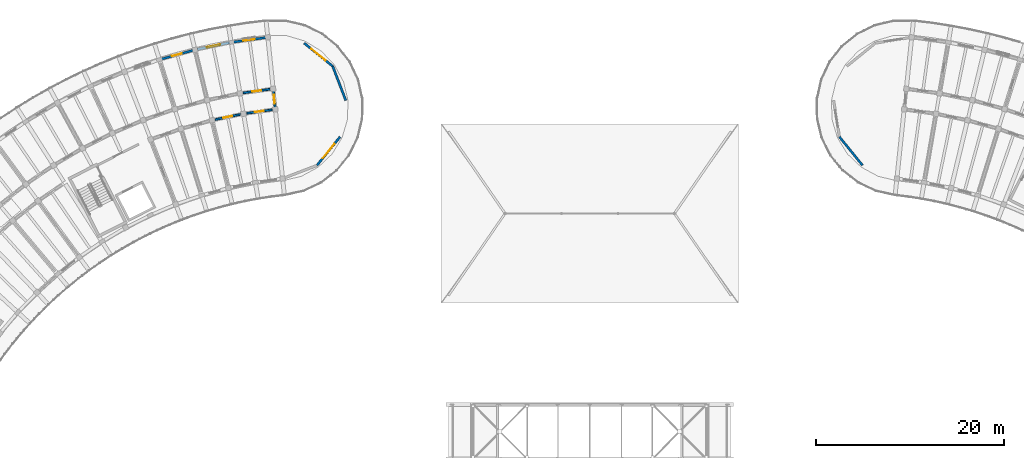
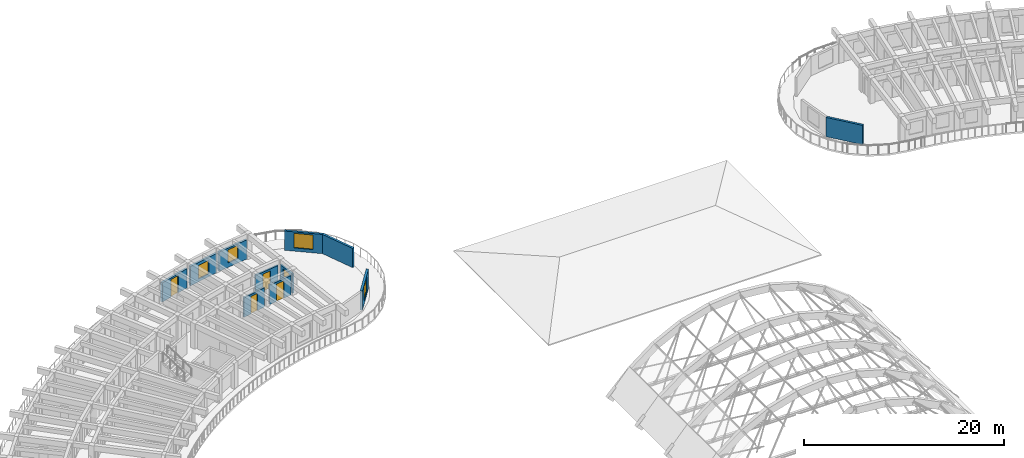
# One storey, part 50 of 81: 11 walls, 5 doors, 4 windows, 9 openings.
"""IFC4 building model written with IfcOpenShell, lengths in metres."""

from ifc_helpers import new_model, si_unit, direction, frame, frame_2d, origin, place, context, subcontext, project, spatial, rectangle, extrude, material, layer, layer_set, type_object, element, fill, save


model = new_model("IFC4")

# Units and contexts
model_context = context("Model", 3, precision=1e-05, world=origin(), true_north=direction((0.0, 1.0)))
body_context = subcontext(model_context, "Body", "Model", "MODEL_VIEW")
ifc_project = project(units=[si_unit("LENGTHUNIT", "METRE"), si_unit("AREAUNIT", "SQUARE_METRE"), si_unit("VOLUMEUNIT", "CUBIC_METRE"), si_unit("PLANEANGLEUNIT", "RADIAN"), si_unit("MASSUNIT", "GRAM", prefix="KILO")], contexts=[model_context])

# Site, building, storey
site_placement = place(None, origin())
site = spatial("IfcSite", under=ifc_project, at=site_placement, CompositionType="ELEMENT")
building_placement = place(site_placement, origin())
building = spatial("IfcBuilding", under=site, at=building_placement, Name="Tanwirah Colonnade Gardens", CompositionType="ELEMENT")
storey_placement = place(building_placement, frame((0.0, 0.0, 8.840087890625)))
storey = spatial("IfcBuildingStorey", under=building, at=storey_placement, Name="L02", CompositionType="ELEMENT", Elevation=8.840087890625)

# Wall
ifc_material_1 = material(Name="Limestone architectural precast concrete C40/50", Category="masonry")
ifc_layer_1 = layer(ifc_material_1, 0.239990234375)
ifc_layer_set_1 = layer_set([ifc_layer_1], Name="Limestone architectural precast concrete C40/50")
wall_type_1 = type_object("IfcWallType", Name="EW-PC240", PredefinedType="SOLIDWALL", material=ifc_layer_set_1)
wall_1_placement = place(storey_placement, frame((121.997802734375, 105.80712890625, 0.0), z_axis=(0.0, 0.0, 1.0), x_axis=(-0.629331205321, 0.777137204109, 0.0)))
element("IfcWall", 1, at=wall_1_placement, inside=storey, type_object=wall_type_1, Name="Block B L02 END Rounded End Wall 1", PredefinedType="SOLIDWALL", context=body_context, shape_type="SweptSolid", body=[
    extrude(rectangle(XDim=3.907958984375, YDim=0.239990234375, at=frame_2d((1.9541015625, 0.0))), origin(), (0.0, 0.0, 1.0), 2.35498046875),
])

# Wall, opening, window
ifc_layer_2 = layer(ifc_material_1, 0.2451171875)
ifc_layer_set_2 = layer_set([ifc_layer_2], Name="Limestone architectural precast concrete C40/50")
wall_type_2 = type_object("IfcWallType", Name="EW-PC245", PredefinedType="SOLIDWALL", material=ifc_layer_set_2)
wall_2_placement = place(storey_placement, frame((58.53271484375, 119.39013671875, 0.0), z_axis=(0.0, 0.0, 1.0), x_axis=(-0.990539718913, -0.137226328578, 0.0)))
wall_2 = element("IfcWall", 2, at=wall_2_placement, inside=storey, type_object=wall_type_2, Name="Block A L02 OUT Precast Facade Wall 0", PredefinedType="SOLIDWALL", context=body_context, shape_type="SweptSolid", body=[
    extrude(rectangle(XDim=3.520751953125, YDim=0.2451171875, at=frame_2d((1.76025390625, 0.0))), origin(), (0.0, 0.0, 1.0), 2.35498046875),
])
opening_1_placement = place(wall_2_placement, frame((1.13525390625, 0.0, 0.550048828125)))
opening_1 = element("IfcOpeningElement", 3, at=opening_1_placement, cuts=wall_2, Name="Opening WIN-T03", PredefinedType="OPENING", context=body_context, shape_type="SweptSolid", body=[
    extrude(rectangle(XDim=1.25, YDim=1.60009765625, at=frame_2d((0.625, 0.800048828125))), frame((0.0, 0.132568359375, 0.0), z_axis=(0.0, -1.0, 0.0), x_axis=(1.0, 0.0, 0.0)), (0.0, 0.0, 1.0), 0.26513671875),
])
ifc_material_2 = material(Name="Thermally broken bronze aluminium and solar low-E double glazing", Category="aluminium")
window_type_1 = type_object("IfcWindowType", Name="WIN-T03", PartitioningType="SINGLE_PANEL", PredefinedType="WINDOW", material=ifc_material_2)
window_1_placement = place(opening_1_placement, origin())
window_1 = element("IfcWindow", 4, at=window_1_placement, inside=storey, type_object=window_type_1, Name="Facade window A-L02-OUT-00", OverallHeight=1.60009765625, OverallWidth=1.25, PartitioningType="SINGLE_PANEL", PredefinedType="WINDOW", context=body_context, shape_type="SweptSolid", body=[
    extrude(rectangle(XDim=1.25, YDim=1.60009765625, at=frame_2d((0.625, 0.800048828125))), frame((0.0, 0.030029296875, 0.0), z_axis=(0.0, -1.0, 0.0), x_axis=(1.0, 0.0, 0.0)), (0.0, 0.0, 1.0), 0.06005859375),
])
fill(opening_1, window_1)

wall_3_placement = place(storey_placement, frame((54.72998046875, 118.8525390625, 0.0), z_axis=(0.0, 0.0, 1.0), x_axis=(-0.979340051053, -0.202220336275, 0.0)))
wall_3 = element("IfcWall", 5, at=wall_3_placement, inside=storey, type_object=wall_type_2, Name="Block A L02 OUT Precast Facade Wall 1", PredefinedType="SOLIDWALL", context=body_context, shape_type="SweptSolid", body=[
    extrude(rectangle(XDim=3.5205078125, YDim=0.2451171875, at=frame_2d((1.76025390625, 0.0))), origin(), (0.0, 0.0, 1.0), 2.35498046875),
])
opening_2_placement = place(wall_3_placement, frame((1.060302734375, 0.0, 0.35009765625)))
opening_2 = element("IfcOpeningElement", 6, at=opening_2_placement, cuts=wall_3, Name="Opening WIN-T06", PredefinedType="OPENING", context=body_context, shape_type="SweptSolid", body=[
    extrude(rectangle(XDim=1.39990234375, YDim=1.64990234375, at=frame_2d((0.699951171875, 0.824951171875))), frame((0.0, 0.132568359375, 0.0), z_axis=(0.0, -1.0, 0.0), x_axis=(1.0, 0.0, 0.0)), (0.0, 0.0, 1.0), 0.26513671875),
])
window_type_2 = type_object("IfcWindowType", Name="WIN-T06", PartitioningType="DOUBLE_PANEL_VERTICAL", PredefinedType="WINDOW", material=ifc_material_2)
window_2_placement = place(opening_2_placement, origin())
window_2 = element("IfcWindow", 7, at=window_2_placement, inside=storey, type_object=window_type_2, Name="Facade window A-L02-OUT-01", OverallHeight=1.64990234375, OverallWidth=1.39990234375, PartitioningType="SINGLE_PANEL", PredefinedType="WINDOW", context=body_context, shape_type="SweptSolid", body=[
    extrude(rectangle(XDim=1.39990234375, YDim=1.64990234375, at=frame_2d((0.699951171875, 0.824951171875))), frame((0.0, 0.030029296875, 0.0), z_axis=(0.0, -1.0, 0.0), x_axis=(1.0, 0.0, 0.0)), (0.0, 0.0, 1.0), 0.06005859375),
])
fill(opening_2, window_2)

# Wall, opening, door
wall_4_placement = place(storey_placement, frame((50.80615234375, 118.02587890625, 0.0), z_axis=(0.0, 0.0, 1.0), x_axis=(-0.963899390209, -0.266266718826, 0.0)))
wall_4 = element("IfcWall", 8, at=wall_4_placement, inside=storey, type_object=wall_type_2, Name="Block A L02 OUT Precast Facade Wall 2", PredefinedType="SOLIDWALL", context=body_context, shape_type="SweptSolid", body=[
    extrude(rectangle(XDim=3.52099609375, YDim=0.2451171875, at=frame_2d((1.760498046875, 0.0))), origin(), (0.0, 0.0, 1.0), 2.35498046875),
])
opening_3_placement = place(wall_4_placement, frame((1.220458984375, 0.0, 0.0)))
opening_3 = element("IfcOpeningElement", 9, at=opening_3_placement, cuts=wall_4, Name="Opening L02-ED008", PredefinedType="OPENING", context=body_context, shape_type="SweptSolid", body=[
    extrude(rectangle(XDim=1.080078125, YDim=2.14990234375, at=frame_2d((0.5400390625, 1.074951171875))), frame((0.0, 0.132568359375, 0.0), z_axis=(0.0, -1.0, 0.0), x_axis=(1.0, 0.0, 0.0)), (0.0, 0.0, 1.0), 0.26513671875),
])
ifc_material_3 = material(Name="Bronze aluminium glazed balcony door", Category="aluminium")
door_type_1 = type_object("IfcDoorType", Name="ED-BAL108", OperationType="NOTDEFINED", PredefinedType="DOOR", material=ifc_material_3)
door_1_placement = place(opening_3_placement, origin())
door_1 = element("IfcDoor", 10, at=door_1_placement, inside=storey, type_object=door_type_1, Name="Balcony glazed door L02-ED008", OperationType="SINGLE_SWING_LEFT", OverallHeight=2.14990234375, OverallWidth=1.080078125, PredefinedType="DOOR", context=body_context, shape_type="SweptSolid", body=[
    extrude(rectangle(XDim=1.080078125, YDim=2.14990234375, at=frame_2d((0.5400390625, 1.074951171875))), frame((0.0, 0.02490234375, 0.0), z_axis=(0.0, -1.0, 0.0), x_axis=(1.0, 0.0, 0.0)), (0.0, 0.0, 1.0), 0.050048828125),
])
fill(opening_3, door_1)

# Wall, opening, window
wall_5_placement = place(storey_placement, frame((62.635498046875, 118.8125, 0.0), z_axis=(0.0, 0.0, 1.0), x_axis=(0.777137204109, -0.629331205321, 0.0)))
wall_5 = element("IfcWall", 11, at=wall_5_placement, inside=storey, type_object=wall_type_2, Name="Block A L02 START Rounded End Wall 1", PredefinedType="SOLIDWALL", context=body_context, shape_type="SweptSolid", body=[
    extrude(rectangle(XDim=3.907958984375, YDim=0.2451171875, at=frame_2d((1.9541015625, 0.0))), origin(), (0.0, 0.0, 1.0), 2.35498046875),
])
opening_4_placement = place(wall_5_placement, frame((0.97900390625, 0.0, 0.39990234375)))
opening_4 = element("IfcOpeningElement", 12, at=opening_4_placement, cuts=wall_5, Name="Opening WIN-END2", PredefinedType="OPENING", context=body_context, shape_type="SweptSolid", body=[
    extrude(rectangle(XDim=1.949951171875, YDim=1.780029296875, at=frame_2d((0.97509765625, 0.89013671875))), frame((0.0, 0.132568359375, 0.0), z_axis=(0.0, -1.0, 0.0), x_axis=(1.0, 0.0, 0.0)), (0.0, 0.0, 1.0), 0.26513671875),
])
window_type_3 = type_object("IfcWindowType", Name="WIN-END2", PartitioningType="TRIPLE_PANEL_VERTICAL", PredefinedType="WINDOW", material=ifc_material_2)
window_3_placement = place(opening_4_placement, origin())
window_3 = element("IfcWindow", 13, at=window_3_placement, inside=storey, type_object=window_type_3, Name="Rounded corner window A-L02-START-1", OverallHeight=1.780029296875, OverallWidth=1.949951171875, PartitioningType="SINGLE_PANEL", PredefinedType="WINDOW", context=body_context, shape_type="SweptSolid", body=[
    extrude(rectangle(XDim=1.949951171875, YDim=1.780029296875, at=frame_2d((0.97509765625, 0.89013671875))), frame((0.0, 0.030029296875, 0.0), z_axis=(0.0, -1.0, 0.0), x_axis=(1.0, 0.0, 0.0)), (0.0, 0.0, 1.0), 0.06005859375),
])
fill(opening_4, window_3)

# Wall
wall_6_placement = place(storey_placement, frame((65.672607421875, 116.35302734375, 0.0), z_axis=(0.0, 0.0, 1.0), x_axis=(0.358376224971, -0.933577249817, 0.0)))
element("IfcWall", 14, at=wall_6_placement, inside=storey, type_object=wall_type_2, Name="Block A L02 START Rounded End Wall 2", PredefinedType="SOLIDWALL", context=body_context, shape_type="SweptSolid", body=[
    extrude(rectangle(XDim=3.908203125, YDim=0.2451171875, at=frame_2d((1.9541015625, 0.0))), origin(), (0.0, 0.0, 1.0), 2.35498046875),
])

# Wall, opening, window
wall_7_placement = place(storey_placement, frame((66.461669921875, 108.84423828125, 0.0), z_axis=(0.0, 0.0, 1.0), x_axis=(-0.629331205321, -0.777137204109, 0.0)))
wall_7 = element("IfcWall", 15, at=wall_7_placement, inside=storey, type_object=wall_type_2, Name="Block A L02 START Rounded End Wall 4", PredefinedType="SOLIDWALL", context=body_context, shape_type="SweptSolid", body=[
    extrude(rectangle(XDim=3.907958984375, YDim=0.2451171875, at=frame_2d((1.9541015625, 0.0))), origin(), (0.0, 0.0, 1.0), 2.35498046875),
])
opening_5_placement = place(wall_7_placement, frame((0.97900390625, 0.0, 0.39990234375)))
opening_5 = element("IfcOpeningElement", 16, at=opening_5_placement, cuts=wall_7, Name="Opening WIN-END2", PredefinedType="OPENING", context=body_context, shape_type="SweptSolid", body=[
    extrude(rectangle(XDim=1.949951171875, YDim=1.780029296875, at=frame_2d((0.97509765625, 0.89013671875))), frame((0.0, 0.132568359375, 0.0), z_axis=(0.0, -1.0, 0.0), x_axis=(1.0, 0.0, 0.0)), (0.0, 0.0, 1.0), 0.26513671875),
])
window_4_placement = place(opening_5_placement, origin())
window_4 = element("IfcWindow", 17, at=window_4_placement, inside=storey, type_object=window_type_3, Name="Rounded corner window A-L02-START-4", OverallHeight=1.780029296875, OverallWidth=1.949951171875, PartitioningType="SINGLE_PANEL", PredefinedType="WINDOW", context=body_context, shape_type="SweptSolid", body=[
    extrude(rectangle(XDim=1.949951171875, YDim=1.780029296875, at=frame_2d((0.97509765625, 0.89013671875))), frame((0.0, 0.030029296875, 0.0), z_axis=(0.0, -1.0, 0.0), x_axis=(1.0, 0.0, 0.0)), (0.0, 0.0, 1.0), 0.06005859375),
])
fill(opening_5, window_4)

# Wall, opening, door
ifc_material_4 = material(Name="Precast concrete C40/50", Category="concrete")
ifc_layer_3 = layer(ifc_material_4, 0.205078125)
ifc_layer_set_3 = layer_set([ifc_layer_3], Name="Precast concrete C40/50")
wall_type_3 = type_object("IfcWallType", Name="IW-CORR205", PredefinedType="PARTITIONING", material=ifc_layer_set_3)
wall_8_placement = place(storey_placement, frame((59.003662109375, 113.90576171875, 0.0), z_axis=(0.0, 0.0, 1.0), x_axis=(-0.990544162976, -0.137194246211, 0.0)))
wall_8 = element("IfcWall", 18, at=wall_8_placement, inside=storey, type_object=wall_type_3, Name="Block A L02 OUT Corridor Wall 0", PredefinedType="PARTITIONING", context=body_context, shape_type="SweptSolid", body=[
    extrude(rectangle(XDim=2.86328125, YDim=0.205078125, at=frame_2d((1.431640625, 0.0))), origin(), (0.0, 0.0, 1.0), 2.369873046875),
])
opening_6_placement = place(wall_8_placement, frame((0.95654296875, 0.0, 0.0)))
opening_6 = element("IfcOpeningElement", 19, at=opening_6_placement, cuts=wall_8, Name="Opening L02-AD305", PredefinedType="OPENING", context=body_context, shape_type="SweptSolid", body=[
    extrude(rectangle(XDim=0.949951171875, YDim=2.1298828125, at=frame_2d((0.47509765625, 1.06494140625))), frame((0.0, 0.112548828125, 0.0), z_axis=(0.0, -1.0, 0.0), x_axis=(1.0, 0.0, 0.0)), (0.0, 0.0, 1.0), 0.22509765625),
])
ifc_material_5 = material(Name="Solid oak fire-resisting apartment entrance door")
door_type_2 = type_object("IfcDoorType", Name="ID-FLT095", OperationType="NOTDEFINED", PredefinedType="DOOR", material=ifc_material_5)
door_2_placement = place(opening_6_placement, origin())
door_2 = element("IfcDoor", 20, at=door_2_placement, inside=storey, type_object=door_type_2, Name="Apartment corridor door L02-AD305", OperationType="SINGLE_SWING_LEFT", OverallHeight=2.1298828125, OverallWidth=0.949951171875, PredefinedType="DOOR", context=body_context, shape_type="SweptSolid", body=[
    extrude(rectangle(XDim=0.949951171875, YDim=2.1298828125, at=frame_2d((0.47509765625, 1.06494140625))), frame((0.0, 0.02490234375, 0.0), z_axis=(0.0, -1.0, 0.0), x_axis=(1.0, 0.0, 0.0)), (0.0, 0.0, 1.0), 0.050048828125),
])
fill(opening_6, door_2)

wall_9_placement = place(storey_placement, frame((59.2333984375, 111.718017578125, 0.0), z_axis=(0.0, 0.0, 1.0), x_axis=(-0.990535404475, -0.137257467855, 0.0)))
wall_9 = element("IfcWall", 21, at=wall_9_placement, inside=storey, type_object=wall_type_3, Name="Block A L02 IN Corridor Wall 0", PredefinedType="PARTITIONING", context=body_context, shape_type="SweptSolid", body=[
    extrude(rectangle(XDim=2.7177734375, YDim=0.205078125, at=frame_2d((1.35888671875, 0.0))), origin(), (0.0, 0.0, 1.0), 2.369873046875),
])
opening_7_placement = place(wall_9_placement, frame((0.884033203125, 0.0, 0.0)))
opening_7 = element("IfcOpeningElement", 22, at=opening_7_placement, cuts=wall_9, Name="Opening L02-AD306", PredefinedType="OPENING", context=body_context, shape_type="SweptSolid", body=[
    extrude(rectangle(XDim=0.949951171875, YDim=2.1298828125, at=frame_2d((0.47509765625, 1.06494140625))), frame((0.0, 0.112548828125, 0.0), z_axis=(0.0, -1.0, 0.0), x_axis=(1.0, 0.0, 0.0)), (0.0, 0.0, 1.0), 0.22509765625),
])
door_3_placement = place(opening_7_placement, origin())
door_3 = element("IfcDoor", 23, at=door_3_placement, inside=storey, type_object=door_type_2, Name="Apartment corridor door L02-AD306", OperationType="SINGLE_SWING_RIGHT", OverallHeight=2.1298828125, OverallWidth=0.949951171875, PredefinedType="DOOR", context=body_context, shape_type="SweptSolid", body=[
    extrude(rectangle(XDim=0.949951171875, YDim=2.1298828125, at=frame_2d((0.47509765625, 1.06494140625))), frame((0.0, 0.02490234375, 0.0), z_axis=(0.0, -1.0, 0.0), x_axis=(1.0, 0.0, 0.0)), (0.0, 0.0, 1.0), 0.050048828125),
])
fill(opening_7, door_3)

wall_10_placement = place(storey_placement, frame((55.851806640625, 111.22607421875, 0.0), z_axis=(0.0, 0.0, 1.0), x_axis=(-0.979349423541, -0.202174940608, 0.0)))
wall_10 = element("IfcWall", 24, at=wall_10_placement, inside=storey, type_object=wall_type_3, Name="Block A L02 IN Corridor Wall 1", PredefinedType="PARTITIONING", context=body_context, shape_type="SweptSolid", body=[
    extrude(rectangle(XDim=2.71826171875, YDim=0.205078125, at=frame_2d((1.359130859375, 0.0))), origin(), (0.0, 0.0, 1.0), 2.369873046875),
])
opening_8_placement = place(wall_10_placement, frame((0.89404296875, 0.0, 0.0)))
opening_8 = element("IfcOpeningElement", 25, at=opening_8_placement, cuts=wall_10, Name="Opening L02-AD308", PredefinedType="OPENING", context=body_context, shape_type="SweptSolid", body=[
    extrude(rectangle(XDim=0.929931640625, YDim=2.1201171875, at=frame_2d((0.46484375, 1.06005859375))), frame((0.0, 0.112548828125, 0.0), z_axis=(0.0, -1.0, 0.0), x_axis=(1.0, 0.0, 0.0)), (0.0, 0.0, 1.0), 0.22509765625),
])
door_type_3 = type_object("IfcDoorType", Name="ID-FLT093", OperationType="NOTDEFINED", PredefinedType="DOOR", material=ifc_material_5)
door_4_placement = place(opening_8_placement, origin())
door_4 = element("IfcDoor", 26, at=door_4_placement, inside=storey, type_object=door_type_3, Name="Apartment corridor door L02-AD308", OperationType="SINGLE_SWING_LEFT", OverallHeight=2.1201171875, OverallWidth=0.929931640625, PredefinedType="DOOR", context=body_context, shape_type="SweptSolid", body=[
    extrude(rectangle(XDim=0.929931640625, YDim=2.1201171875, at=frame_2d((0.46484375, 1.06005859375))), frame((0.0, 0.02490234375, 0.0), z_axis=(0.0, -1.0, 0.0), x_axis=(1.0, 0.0, 0.0)), (0.0, 0.0, 1.0), 0.050048828125),
])
fill(opening_8, door_4)

wall_11_placement = place(storey_placement, frame((59.574951171875, 111.815673828125, 0.0), z_axis=(0.0, 0.0, 1.0), x_axis=(-0.104509292252, 0.994523910136, 0.0)))
wall_11 = element("IfcWall", 27, at=wall_11_placement, inside=storey, type_object=wall_type_3, Name="Block A L02 CS Corner Suite Corridor Wall", PredefinedType="PARTITIONING", context=body_context, shape_type="SweptSolid", body=[
    extrude(rectangle(XDim=2.10009765625, YDim=0.205078125, at=frame_2d((1.050048828125, 0.0))), origin(), (0.0, 0.0, 1.0), 2.369873046875),
])
opening_9_placement = place(wall_11_placement, frame((0.570068359375, 0.0, 0.0)))
opening_9 = element("IfcOpeningElement", 28, at=opening_9_placement, cuts=wall_11, Name="Opening L02-CD344", PredefinedType="OPENING", context=body_context, shape_type="SweptSolid", body=[
    extrude(rectangle(XDim=0.949951171875, YDim=2.1298828125, at=frame_2d((0.47509765625, 1.06494140625))), frame((0.0, 0.112548828125, 0.0), z_axis=(0.0, -1.0, 0.0), x_axis=(1.0, 0.0, 0.0)), (0.0, 0.0, 1.0), 0.22509765625),
])
door_5_placement = place(opening_9_placement, origin())
door_5 = element("IfcDoor", 29, at=door_5_placement, inside=storey, type_object=door_type_2, Name="Corner suite entrance door L02-CD344", OperationType="SINGLE_SWING_LEFT", OverallHeight=2.1298828125, OverallWidth=0.949951171875, PredefinedType="DOOR", context=body_context, shape_type="SweptSolid", body=[
    extrude(rectangle(XDim=0.949951171875, YDim=2.1298828125, at=frame_2d((0.47509765625, 1.06494140625))), frame((0.0, 0.02490234375, 0.0), z_axis=(0.0, -1.0, 0.0), x_axis=(1.0, 0.0, 0.0)), (0.0, 0.0, 1.0), 0.050048828125),
])
fill(opening_9, door_5)

save(model, "model.ifc")
